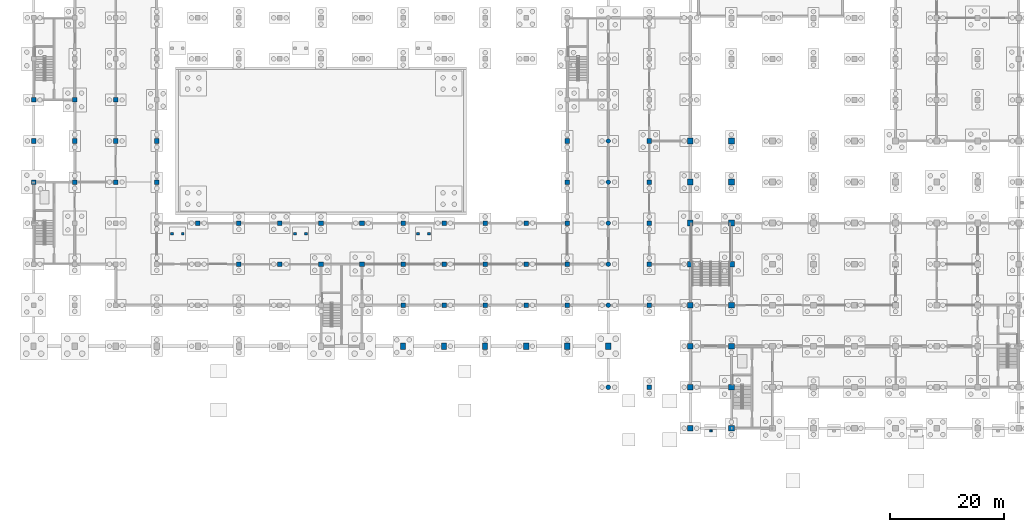
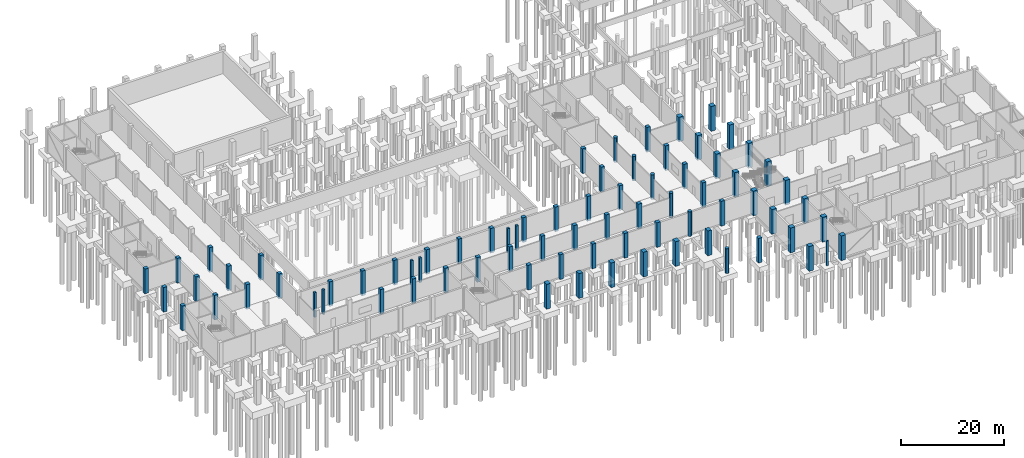
# One storey, part 10 of 35: 78 columns.
"""IFC4 building model written with IfcOpenShell, lengths in metres."""

from ifc_helpers import new_model, si_unit, direction, frame, origin, origin_2d, place, context, subcontext, project, spatial, rectangle, circle, extrude, material, material_profile, profile_set, type_object, element, save


model = new_model("IFC4")

# Units and contexts
model_context = context("Model", 3, precision=1e-05, world=origin(), true_north=direction((0.0, 1.0)))
body_context = subcontext(model_context, "Body", "Model", "MODEL_VIEW")
ifc_project = project(units=[si_unit("LENGTHUNIT", "METRE"), si_unit("AREAUNIT", "SQUARE_METRE"), si_unit("VOLUMEUNIT", "CUBIC_METRE"), si_unit("PLANEANGLEUNIT", "RADIAN"), si_unit("MASSUNIT", "GRAM", prefix="KILO")], contexts=[model_context])

# Site, building, storey
site_placement = place(None, origin())
site = spatial("IfcSite", under=ifc_project, at=site_placement, CompositionType="ELEMENT")
building_placement = place(site_placement, origin())
building = spatial("IfcBuilding", under=site, at=building_placement, Name="Vesperath Aquatics Centre", CompositionType="ELEMENT")
storey_placement = place(building_placement, frame((0.0, 0.0, -5.39990234375)))
storey = spatial("IfcBuildingStorey", under=building, at=storey_placement, Name="B1", CompositionType="ELEMENT", Elevation=-5.39990234375)

# Columns
ifc_material_1 = material(Name="Concrete C40", Category="concrete")
ifc_material_profile_1 = material_profile(ifc_material_1, rectangle(XDim=0.89990234375, YDim=1.10009765625, at=origin_2d()), Name="RC 1100x900")
ifc_profile_set_1 = profile_set([ifc_material_profile_1], Name="Concrete C40")
column_type_1 = type_object("IfcColumnType", Name="CL-C01", PredefinedType="COLUMN", material=ifc_profile_set_1)
for number, where, z_axis, x_axis, name in (
    (1, (64.800048828125, 14.39990234375, -0.4501953125), (0.0, 0.0, 1.0), (1.0, 0.0, 0.0), "Column C01 B1 10/C"),
    (2, (72.0, 14.39990234375, -0.4501953125), (0.0, 0.0, 1.0), (1.0, 0.0, 0.0), "Column C01 B1 11/C"),
    (3, (79.199951171875, 14.39990234375, -0.4501953125), (0.0, 0.0, 1.0), (1.0, 0.0, 0.0), "Column C01 B1 12/C"),
    (4, (86.39990234375, 14.39990234375, -0.4501953125), (0.0, 0.0, 1.0), (1.0, 0.0, 0.0), "Column C01 B1 13/C"),
    (5, (93.60009765625, 14.39990234375, -0.4501953125), (0.0, 0.0, 1.0), (1.0, 0.0, 0.0), "Column C01 B1 14/C"),
    (6, (100.800048828125, 14.39990234375, -0.4501953125), (0.0, 0.0, 1.0), (1.0, 0.0, 0.0), "Column C01 B1 15/C"),
):
    element("IfcColumn", number, at=place(storey_placement, frame(where, z_axis=z_axis, x_axis=x_axis)), inside=storey, type_object=column_type_1, Name=name, PredefinedType="COLUMN", context=body_context, shape_type="SweptSolid", body=[
        extrude(rectangle(XDim=0.89990234375, YDim=1.10009765625, at=origin_2d()), origin(), (0.0, 0.0, 1.0), 5.85009765625),
    ])
ifc_material_profile_2 = material_profile(ifc_material_1, rectangle(XDim=1.0, YDim=1.0, at=origin_2d()), Name="RC 1000x1000")
ifc_profile_set_2 = profile_set([ifc_material_profile_2], Name="Concrete C40")
column_type_2 = type_object("IfcColumnType", Name="CL-C02", PredefinedType="COLUMN", material=ifc_profile_set_2)
for number, where, z_axis, x_axis, name in (
    (7, (115.199951171875, 0.0, -0.4501953125), (0.0, 0.0, 1.0), (1.0, 0.0, 0.0), "Column C02 B1 17/A"),
    (8, (115.199951171875, 7.199951171875, -0.4501953125), (0.0, 0.0, 1.0), (1.0, 0.0, 0.0), "Column C02 B1 17/B"),
    (9, (115.199951171875, 14.39990234375, -0.4501953125), (0.0, 0.0, 1.0), (1.0, 0.0, 0.0), "Column C02 B1 17/C"),
    (10, (115.199951171875, 21.60009765625, -0.4501953125), (0.0, 0.0, 1.0), (1.0, 0.0, 0.0), "Column C02 B1 17/D"),
    (11, (115.199951171875, 28.800048828125, -0.4501953125), (0.0, 0.0, 1.0), (1.0, 0.0, 0.0), "Column C02 B1 17/E"),
    (12, (115.199951171875, 36.0, -0.4501953125), (0.0, 0.0, 1.0), (1.0, 0.0, 0.0), "Column C02 B1 17/F"),
    (13, (115.199951171875, 43.199951171875, -0.4501953125), (0.0, 0.0, 1.0), (1.0, 0.0, 0.0), "Column C02 B1 17/G"),
    (14, (115.199951171875, 50.39990234375, -0.4501953125), (0.0, 0.0, 1.0), (1.0, 0.0, 0.0), "Column C02 B1 17/H"),
    (15, (122.39990234375, 0.0, -0.4501953125), (0.0, 0.0, 1.0), (1.0, 0.0, 0.0), "Column C02 B1 18/A"),
    (16, (122.39990234375, 7.199951171875, -0.4501953125), (0.0, 0.0, 1.0), (1.0, 0.0, 0.0), "Column C02 B1 18/B"),
    (17, (122.39990234375, 14.39990234375, -0.4501953125), (0.0, 0.0, 1.0), (1.0, 0.0, 0.0), "Column C02 B1 18/C"),
    (18, (122.39990234375, 21.60009765625, -0.4501953125), (0.0, 0.0, 1.0), (1.0, 0.0, 0.0), "Column C02 B1 18/D"),
    (19, (122.39990234375, 28.800048828125, -0.4501953125), (0.0, 0.0, 1.0), (1.0, 0.0, 0.0), "Column C02 B1 18/E"),
    (20, (122.39990234375, 36.0, -0.4501953125), (0.0, 0.0, 1.0), (1.0, 0.0, 0.0), "Column C02 B1 18/F"),
    (21, (122.39990234375, 43.199951171875, -0.4501953125), (0.0, 0.0, 1.0), (1.0, 0.0, 0.0), "Column C02 B1 18/G"),
    (22, (122.39990234375, 50.39990234375, -0.4501953125), (0.0, 0.0, 1.0), (1.0, 0.0, 0.0), "Column C02 B1 18/H"),
):
    element("IfcColumn", number, at=place(storey_placement, frame(where, z_axis=z_axis, x_axis=x_axis)), inside=storey, type_object=column_type_2, Name=name, PredefinedType="COLUMN", context=body_context, shape_type="SweptSolid", body=[
        extrude(rectangle(XDim=1.0, YDim=1.0, at=origin_2d()), origin(), (0.0, 0.0, 1.0), 5.85009765625),
    ])
ifc_material_profile_3 = material_profile(ifc_material_1, rectangle(XDim=0.800048828125, YDim=0.800048828125, at=origin_2d()), Name="RC 800x800")
ifc_profile_set_3 = profile_set([ifc_material_profile_3], Name="Concrete C40")
column_type_3 = type_object("IfcColumnType", Name="CL-C04", PredefinedType="COLUMN", material=ifc_profile_set_3)
for number, where, z_axis, x_axis, name in (
    (23, (0.0, 43.199951171875, -0.4501953125), (0.0, 0.0, 1.0), (1.0, 0.0, 0.0), "Column C04 B1 1/G"),
    (24, (0.0, 50.39990234375, -0.4501953125), (0.0, 0.0, 1.0), (1.0, 0.0, 0.0), "Column C04 B1 1/H"),
    (25, (0.0, 57.60009765625, -0.4501953125), (0.0, 0.0, 1.0), (1.0, 0.0, 0.0), "Column C04 B1 1/J"),
    (26, (7.199951171875, 43.199951171875, -0.4501953125), (0.0, 0.0, 1.0), (1.0, 0.0, 0.0), "Column C04 B1 2/G"),
    (27, (7.199951171875, 50.39990234375, -0.4501953125), (0.0, 0.0, 1.0), (1.0, 0.0, 0.0), "Column C04 B1 2/H"),
    (28, (7.199951171875, 57.60009765625, -0.4501953125), (0.0, 0.0, 1.0), (1.0, 0.0, 0.0), "Column C04 B1 2/J"),
    (29, (14.39990234375, 43.199951171875, -0.4501953125), (0.0, 0.0, 1.0), (1.0, 0.0, 0.0), "Column C04 B1 3/G"),
    (30, (14.39990234375, 50.39990234375, -0.4501953125), (0.0, 0.0, 1.0), (1.0, 0.0, 0.0), "Column C04 B1 3/H"),
    (31, (14.39990234375, 57.60009765625, -0.4501953125), (0.0, 0.0, 1.0), (1.0, 0.0, 0.0), "Column C04 B1 3/J"),
    (32, (21.60009765625, 43.199951171875, -0.4501953125), (0.0, 0.0, 1.0), (1.0, 0.0, 0.0), "Column C04 B1 4/G"),
    (33, (21.60009765625, 50.39990234375, -0.4501953125), (0.0, 0.0, 1.0), (1.0, 0.0, 0.0), "Column C04 B1 4/H"),
    (34, (28.800048828125, 36.0, -0.4501953125), (0.0, 0.0, 1.0), (1.0, 0.0, 0.0), "Column C04 B1 5/F"),
    (35, (36.0, 28.800048828125, -0.4501953125), (0.0, 0.0, 1.0), (1.0, 0.0, 0.0), "Column C04 B1 6/E"),
    (36, (36.0, 36.0, -0.4501953125), (0.0, 0.0, 1.0), (1.0, 0.0, 0.0), "Column C04 B1 6/F"),
    (37, (43.199951171875, 28.800048828125, -0.4501953125), (0.0, 0.0, 1.0), (1.0, 0.0, 0.0), "Column C04 B1 7/E"),
    (38, (43.199951171875, 36.0, -0.4501953125), (0.0, 0.0, 1.0), (1.0, 0.0, 0.0), "Column C04 B1 7/F"),
    (39, (50.39990234375, 28.800048828125, -0.4501953125), (0.0, 0.0, 1.0), (1.0, 0.0, 0.0), "Column C04 B1 8/E"),
    (40, (50.39990234375, 36.0, -0.4501953125), (0.0, 0.0, 1.0), (1.0, 0.0, 0.0), "Column C04 B1 8/F"),
    (41, (57.60009765625, 28.800048828125, -0.4501953125), (0.0, 0.0, 1.0), (1.0, 0.0, 0.0), "Column C04 B1 9/E"),
    (42, (57.60009765625, 36.0, -0.4501953125), (0.0, 0.0, 1.0), (1.0, 0.0, 0.0), "Column C04 B1 9/F"),
    (43, (64.800048828125, 21.60009765625, -0.4501953125), (0.0, 0.0, 1.0), (1.0, 0.0, 0.0), "Column C04 B1 10/D"),
    (44, (64.800048828125, 28.800048828125, -0.4501953125), (0.0, 0.0, 1.0), (1.0, 0.0, 0.0), "Column C04 B1 10/E"),
    (45, (64.800048828125, 36.0, -0.4501953125), (0.0, 0.0, 1.0), (1.0, 0.0, 0.0), "Column C04 B1 10/F"),
    (46, (72.0, 21.60009765625, -0.4501953125), (0.0, 0.0, 1.0), (1.0, 0.0, 0.0), "Column C04 B1 11/D"),
    (47, (72.0, 28.800048828125, -0.4501953125), (0.0, 0.0, 1.0), (1.0, 0.0, 0.0), "Column C04 B1 11/E"),
    (48, (72.0, 36.0, -0.4501953125), (0.0, 0.0, 1.0), (1.0, 0.0, 0.0), "Column C04 B1 11/F"),
    (49, (79.199951171875, 21.60009765625, -0.4501953125), (0.0, 0.0, 1.0), (1.0, 0.0, 0.0), "Column C04 B1 12/D"),
    (50, (79.199951171875, 28.800048828125, -0.4501953125), (0.0, 0.0, 1.0), (1.0, 0.0, 0.0), "Column C04 B1 12/E"),
    (51, (79.199951171875, 36.0, -0.4501953125), (0.0, 0.0, 1.0), (1.0, 0.0, 0.0), "Column C04 B1 12/F"),
    (52, (86.39990234375, 21.60009765625, -0.4501953125), (0.0, 0.0, 1.0), (1.0, 0.0, 0.0), "Column C04 B1 13/D"),
    (53, (86.39990234375, 28.800048828125, -0.4501953125), (0.0, 0.0, 1.0), (1.0, 0.0, 0.0), "Column C04 B1 13/E"),
    (54, (86.39990234375, 36.0, -0.4501953125), (0.0, 0.0, 1.0), (1.0, 0.0, 0.0), "Column C04 B1 13/F"),
    (55, (93.60009765625, 21.60009765625, -0.4501953125), (0.0, 0.0, 1.0), (1.0, 0.0, 0.0), "Column C04 B1 14/D"),
    (56, (93.60009765625, 28.800048828125, -0.4501953125), (0.0, 0.0, 1.0), (1.0, 0.0, 0.0), "Column C04 B1 14/E"),
    (57, (93.60009765625, 36.0, -0.4501953125), (0.0, 0.0, 1.0), (1.0, 0.0, 0.0), "Column C04 B1 14/F"),
    (58, (93.60009765625, 43.199951171875, -0.4501953125), (0.0, 0.0, 1.0), (1.0, 0.0, 0.0), "Column C04 B1 14/G"),
    (59, (93.60009765625, 50.39990234375, -0.4501953125), (0.0, 0.0, 1.0), (1.0, 0.0, 0.0), "Column C04 B1 14/H"),
    (60, (108.0, 7.199951171875, -0.4501953125), (0.0, 0.0, 1.0), (1.0, 0.0, 0.0), "Column C04 B1 16/B"),
    (61, (108.0, 21.60009765625, -0.4501953125), (0.0, 0.0, 1.0), (1.0, 0.0, 0.0), "Column C04 B1 16/D"),
    (62, (108.0, 28.800048828125, -0.4501953125), (0.0, 0.0, 1.0), (1.0, 0.0, 0.0), "Column C04 B1 16/E"),
    (63, (108.0, 36.0, -0.4501953125), (0.0, 0.0, 1.0), (1.0, 0.0, 0.0), "Column C04 B1 16/F"),
    (64, (108.0, 43.199951171875, -0.4501953125), (0.0, 0.0, 1.0), (1.0, 0.0, 0.0), "Column C04 B1 16/G"),
    (65, (108.0, 50.39990234375, -0.4501953125), (0.0, 0.0, 1.0), (1.0, 0.0, 0.0), "Column C04 B1 16/H"),
):
    element("IfcColumn", number, at=place(storey_placement, frame(where, z_axis=z_axis, x_axis=x_axis)), inside=storey, type_object=column_type_3, Name=name, PredefinedType="COLUMN", context=body_context, shape_type="SweptSolid", body=[
        extrude(rectangle(XDim=0.800048828125, YDim=0.800048828125, at=origin_2d()), origin(), (0.0, 0.0, 1.0), 5.85009765625),
    ])
ifc_material_2 = material(Name="Concrete C35", Category="concrete")
ifc_material_profile_4 = material_profile(ifc_material_2, rectangle(XDim=0.5, YDim=0.5, at=origin_2d()), Name="RC 500x500")
ifc_profile_set_4 = profile_set([ifc_material_profile_4], Name="Concrete C35")
column_type_4 = type_object("IfcColumnType", Name="CL-C07", PredefinedType="COLUMN", material=ifc_profile_set_4)
for number, where, z_axis, x_axis, name in (
    (66, (24.25, 34.1201171875, -0.4501953125), (0.0, 0.0, 1.0), (1.0, 0.0, 0.0), "Vomitory VOM-01 Sub-Column C07 B1-W"),
    (67, (26.14990234375, 34.1201171875, -0.4501953125), (0.0, 0.0, 1.0), (1.0, 0.0, 0.0), "Vomitory VOM-01 Sub-Column C07 B1-E"),
    (68, (45.85009765625, 34.1201171875, -0.4501953125), (0.0, 0.0, 1.0), (1.0, 0.0, 0.0), "Vomitory VOM-02 Sub-Column C07 B1-W"),
    (69, (47.75, 34.1201171875, -0.4501953125), (0.0, 0.0, 1.0), (1.0, 0.0, 0.0), "Vomitory VOM-02 Sub-Column C07 B1-E"),
    (70, (67.449951171875, 34.1201171875, -0.4501953125), (0.0, 0.0, 1.0), (1.0, 0.0, 0.0), "Vomitory VOM-03 Sub-Column C07 B1-W"),
    (71, (69.35009765625, 34.1201171875, -0.4501953125), (0.0, 0.0, 1.0), (1.0, 0.0, 0.0), "Vomitory VOM-03 Sub-Column C07 B1-E"),
):
    element("IfcColumn", number, at=place(storey_placement, frame(where, z_axis=z_axis, x_axis=x_axis)), inside=storey, type_object=column_type_4, Name=name, PredefinedType="COLUMN", context=body_context, shape_type="SweptSolid", body=[
        extrude(rectangle(XDim=0.5, YDim=0.5, at=origin_2d()), origin(), (0.0, 0.0, 1.0), 5.85009765625),
    ])
ifc_material_profile_5 = material_profile(ifc_material_1, circle(Radius=0.39990234375, at=origin_2d()), Name="RC D800")
ifc_profile_set_5 = profile_set([ifc_material_profile_5], Name="Concrete C40")
column_type_5 = type_object("IfcColumnType", Name="CL-C08", PredefinedType="COLUMN", material=ifc_profile_set_5)
for number, where, z_axis, x_axis, name in (
    (72, (100.800048828125, 7.199951171875, -0.4501953125), (0.0, 0.0, 1.0), (1.0, 0.0, 0.0), "Column C08 B1 15/B"),
    (73, (100.800048828125, 21.60009765625, -0.4501953125), (0.0, 0.0, 1.0), (1.0, 0.0, 0.0), "Column C08 B1 15/D"),
    (74, (100.800048828125, 28.800048828125, -0.4501953125), (0.0, 0.0, 1.0), (1.0, 0.0, 0.0), "Column C08 B1 15/E"),
    (75, (100.800048828125, 36.0, -0.4501953125), (0.0, 0.0, 1.0), (1.0, 0.0, 0.0), "Column C08 B1 15/F"),
    (76, (100.800048828125, 43.199951171875, -0.4501953125), (0.0, 0.0, 1.0), (1.0, 0.0, 0.0), "Column C08 B1 15/G"),
    (77, (100.800048828125, 50.39990234375, -0.4501953125), (0.0, 0.0, 1.0), (1.0, 0.0, 0.0), "Column C08 B1 15/H"),
):
    element("IfcColumn", number, at=place(storey_placement, frame(where, z_axis=z_axis, x_axis=x_axis)), inside=storey, type_object=column_type_5, Name=name, PredefinedType="COLUMN", context=body_context, shape_type="SweptSolid", body=[
        extrude(circle(Radius=0.39990234375, at=origin_2d()), origin(), (0.0, 0.0, 1.0), 5.85009765625),
    ])
ifc_material_profile_6 = material_profile(ifc_material_1, rectangle(XDim=0.449951171875, YDim=0.35009765625, at=origin_2d()), Name="CL-PL01")
ifc_profile_set_6 = profile_set([ifc_material_profile_6], Name="Concrete C40")
column_type_6 = type_object("IfcColumnType", Name="CL-PL01", PredefinedType="PILASTER", material=ifc_profile_set_6)
column_placement = place(storey_placement, frame((118.800048828125, -0.449951171875, -0.4501953125), z_axis=(0.0, 0.0, 1.0), x_axis=(1.0, 0.0, 0.0)))
element("IfcColumn", 78, at=column_placement, inside=storey, type_object=column_type_6, Name="Granite Plinth Sub-Pilaster PLS1-B1-01", PredefinedType="PILASTER", context=body_context, shape_type="SweptSolid", body=[
    extrude(rectangle(XDim=0.449951171875, YDim=0.35009765625, at=origin_2d()), origin(), (0.0, 0.0, 1.0), 5.85009765625),
])

save(model, "model.ifc")
